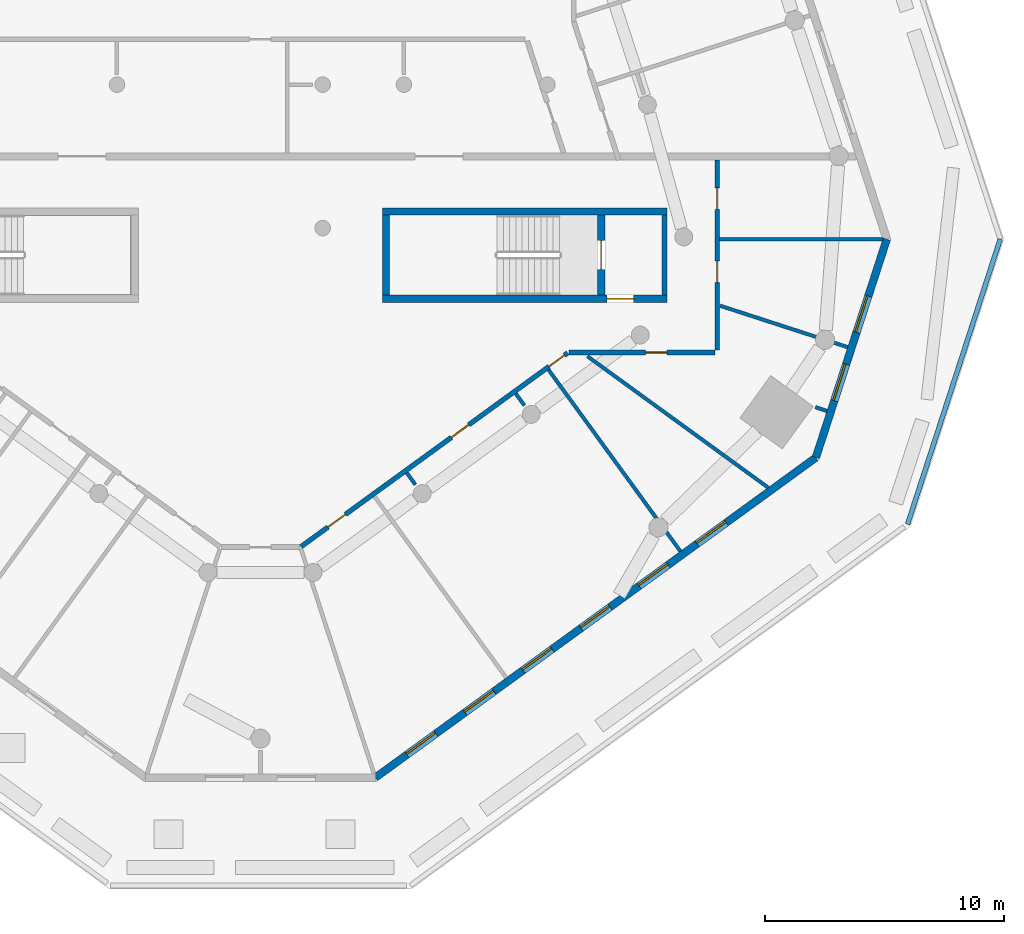
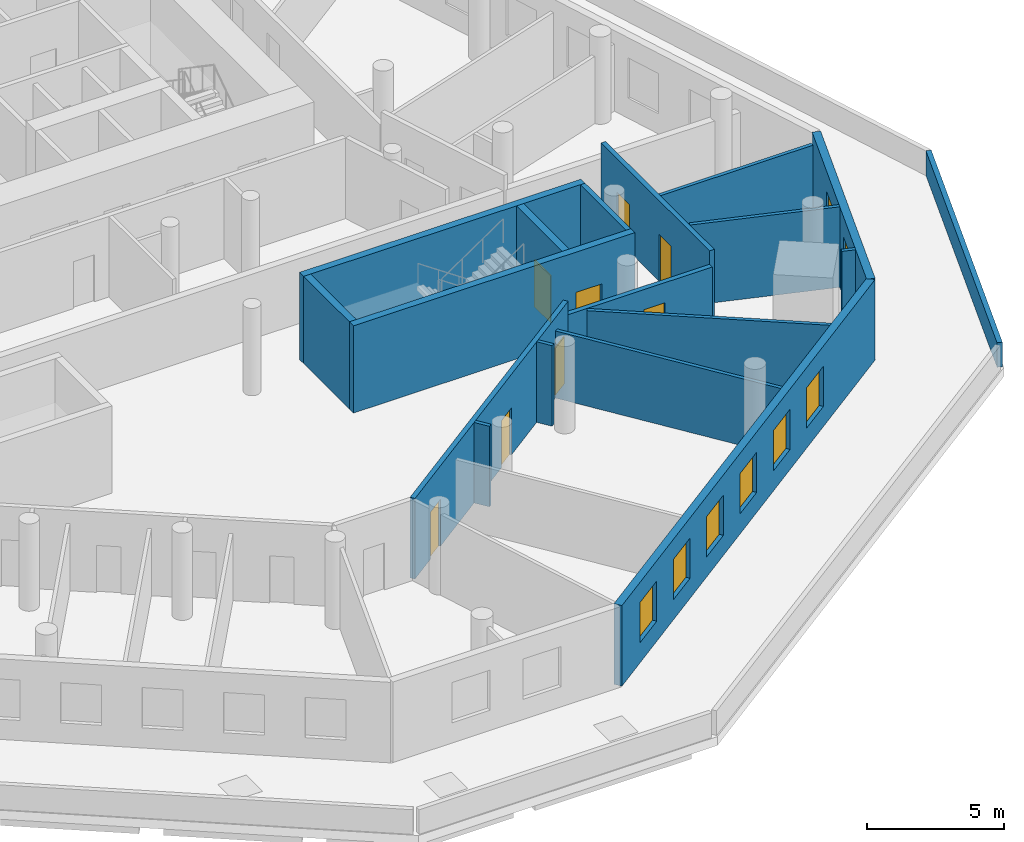
# One storey, part 4 of 10: 18 walls, 8 doors, 8 windows, 16 openings.
"""IFC4 building model written with IfcOpenShell, lengths in metres."""

from ifc_helpers import new_model, si_unit, direction, frame, frame_2d, origin, place, context, subcontext, project, spatial, rectangle, extrude, material, layer, layer_set, type_object, element, fill, save


model = new_model("IFC4")

# Units and contexts
model_context = context("Model", 3, precision=1e-05, world=origin(), true_north=direction((0.0, 1.0)))
body_context = subcontext(model_context, "Body", "Model", "MODEL_VIEW")
ifc_project = project(units=[si_unit("LENGTHUNIT", "METRE"), si_unit("AREAUNIT", "SQUARE_METRE"), si_unit("VOLUMEUNIT", "CUBIC_METRE"), si_unit("PLANEANGLEUNIT", "RADIAN"), si_unit("MASSUNIT", "GRAM", prefix="KILO")], contexts=[model_context])

# Site, building, storey
site_placement = place(None, origin())
site = spatial("IfcSite", under=ifc_project, at=site_placement, CompositionType="ELEMENT")
building_placement = place(site_placement, origin())
building = spatial("IfcBuilding", under=site, at=building_placement, Name="White Candle Pilgrim Tower", CompositionType="ELEMENT")
storey_placement = place(building_placement, frame((0.0, 0.0, 39.0)))
storey = spatial("IfcBuildingStorey", under=building, at=storey_placement, Name="L06", CompositionType="ELEMENT", Elevation=39.0)

# Wall
ifc_material_1 = material(Name="Concrete C70/85", Category="concrete")
ifc_layer_1 = layer(ifc_material_1, 0.199951171875)
ifc_layer_set_1 = layer_set([ifc_layer_1], Name="Core wall 200 mm Concrete C70/85")
wall_type_1 = type_object("IfcWallType", Name="Core wall 200 mm Concrete C70/85", PredefinedType="SHEAR", material=ifc_layer_set_1)
wall_1_placement = place(storey_placement, frame((86.89990234375, 58.199951171875, 0.0), z_axis=(0.0, 0.0, 1.0), x_axis=(0.0, 1.0, 0.0)))
element("IfcWall", 1, at=wall_1_placement, inside=storey, type_object=wall_type_1, Name="WL-L06-C08", PredefinedType="SHEAR", context=body_context, shape_type="SweptSolid", body=[
    extrude(rectangle(XDim=3.35009765625, YDim=0.199951171875, at=frame_2d((1.675048828125, 0.0))), origin(), (0.0, 0.0, 1.0), 3.89990234375),
])

# Wall, openings, doors
ifc_material_2 = material(Name="Gypsum board on steel studs", Category="steel")
ifc_layer_2 = layer(ifc_material_2, 0.199951171875)
ifc_layer_set_2 = layer_set([ifc_layer_2], Name="Corridor wall 200 mm EI 45")
wall_type_2 = type_object("IfcWallType", Name="Corridor wall 200 mm EI 45", PredefinedType="PARTITIONING", material=ifc_layer_set_2)
wall_2_placement = place(storey_placement, frame((89.10009765625, 63.85009765625, 0.0), z_axis=(0.0, 0.0, 1.0), x_axis=(0.0, -1.0, 0.0)))
wall_2 = element("IfcWall", 2, at=wall_2_placement, inside=storey, type_object=wall_type_2, Name="WL-L06-P006", PredefinedType="PARTITIONING", context=body_context, shape_type="SweptSolid", body=[
    extrude(rectangle(XDim=7.9501953125, YDim=0.199951171875, at=frame_2d((3.97509765625, 0.0))), origin(), (0.0, 0.0, 1.0), 3.60009765625),
])
opening_1_placement = place(wall_2_placement, frame((4.2333984375, 0.0, 0.0)))
opening_1 = element("IfcOpeningElement", 3, at=opening_1_placement, cuts=wall_2, Name="Opening T01-113", PredefinedType="OPENING", context=body_context, shape_type="SweptSolid", body=[
    extrude(rectangle(XDim=0.89990234375, YDim=2.10009765625, at=frame_2d((0.449951171875, 1.050048828125))), frame((0.0, 0.10986328125, 0.0), z_axis=(0.0, -1.0, 0.0), x_axis=(1.0, 0.0, 0.0)), (0.0, 0.0, 1.0), 0.219970703125),
])
opening_2_placement = place(wall_2_placement, frame((1.16796875, 0.0, 0.0)))
opening_2 = element("IfcOpeningElement", 4, at=opening_2_placement, cuts=wall_2, Name="Opening T01-127", PredefinedType="OPENING", context=body_context, shape_type="SweptSolid", body=[
    extrude(rectangle(XDim=0.89990234375, YDim=2.10009765625, at=frame_2d((0.449951171875, 1.050048828125))), frame((0.0, 0.10986328125, 0.0), z_axis=(0.0, -1.0, 0.0), x_axis=(1.0, 0.0, 0.0)), (0.0, 0.0, 1.0), 0.219970703125),
])
ifc_material_3 = material(Name="Steel door leaf", Category="steel")
door_type_1 = type_object("IfcDoorType", Name="Fire door 900 x 2100 EI 30", OperationType="NOTDEFINED", PredefinedType="DOOR", material=ifc_material_3)
door_1_placement = place(opening_1_placement, origin())
door_1 = element("IfcDoor", 5, at=door_1_placement, inside=storey, type_object=door_type_1, Name="Door T01-113", OperationType="SINGLE_SWING_LEFT", OverallHeight=2.10009765625, OverallWidth=0.89990234375, PredefinedType="DOOR", context=body_context, shape_type="SweptSolid", body=[
    extrude(rectangle(XDim=0.89990234375, YDim=2.10009765625, at=frame_2d((0.449951171875, 1.050048828125))), frame((0.0, 0.02490234375, 0.0), z_axis=(0.0, -1.0, 0.0), x_axis=(1.0, 0.0, 0.0)), (0.0, 0.0, 1.0), 0.050048828125),
])
fill(opening_1, door_1)
door_2_placement = place(opening_2_placement, origin())
door_2 = element("IfcDoor", 6, at=door_2_placement, inside=storey, type_object=door_type_1, Name="Door T01-127", OperationType="SINGLE_SWING_LEFT", OverallHeight=2.10009765625, OverallWidth=0.89990234375, PredefinedType="DOOR", context=body_context, shape_type="SweptSolid", body=[
    extrude(rectangle(XDim=0.89990234375, YDim=2.10009765625, at=frame_2d((0.449951171875, 1.050048828125))), frame((0.0, 0.02490234375, 0.0), z_axis=(0.0, -1.0, 0.0), x_axis=(1.0, 0.0, 0.0)), (0.0, 0.0, 1.0), 0.050048828125),
])
fill(opening_2, door_2)

# Wall, opening, door
wall_3_placement = place(storey_placement, frame((89.0, 55.800048828125, 0.0), z_axis=(0.0, 0.0, 1.0), x_axis=(-1.0, 0.0, 0.0)))
wall_3 = element("IfcWall", 7, at=wall_3_placement, inside=storey, type_object=wall_type_2, Name="WL-L06-P007", PredefinedType="PARTITIONING", context=body_context, shape_type="SweptSolid", body=[
    extrude(rectangle(XDim=6.095458984375, YDim=0.199951171875, at=frame_2d((3.0478515625, 0.0))), origin(), (0.0, 0.0, 1.0), 3.0),
])
opening_3_placement = place(wall_3_placement, frame((1.99853515625, 0.0, 0.0)))
opening_3 = element("IfcOpeningElement", 8, at=opening_3_placement, cuts=wall_3, Name="Opening T01-112", PredefinedType="OPENING", context=body_context, shape_type="SweptSolid", body=[
    extrude(rectangle(XDim=0.89990234375, YDim=2.10009765625, at=frame_2d((0.449951171875, 1.050048828125))), frame((0.0, 0.10986328125, 0.0), z_axis=(0.0, -1.0, 0.0), x_axis=(1.0, 0.0, 0.0)), (0.0, 0.0, 1.0), 0.219970703125),
])
door_3_placement = place(opening_3_placement, origin())
door_3 = element("IfcDoor", 9, at=door_3_placement, inside=storey, type_object=door_type_1, Name="Door T01-112", OperationType="SINGLE_SWING_RIGHT", OverallHeight=2.10009765625, OverallWidth=0.89990234375, PredefinedType="DOOR", context=body_context, shape_type="SweptSolid", body=[
    extrude(rectangle(XDim=0.89990234375, YDim=2.10009765625, at=frame_2d((0.449951171875, 1.050048828125))), frame((0.0, 0.02490234375, 0.0), z_axis=(0.0, -1.0, 0.0), x_axis=(1.0, 0.0, 0.0)), (0.0, 0.0, 1.0), 0.050048828125),
])
fill(opening_3, door_3)

# Wall, openings, doors
wall_4_placement = place(storey_placement, frame((82.845947265625, 55.781005859375, 0.0), z_axis=(0.0, 0.0, 1.0), x_axis=(-0.80901253571, -0.587791389069, 0.0)))
wall_4 = element("IfcWall", 10, at=wall_4_placement, inside=storey, type_object=wall_type_2, Name="WL-L06-P008", PredefinedType="PARTITIONING", context=body_context, shape_type="SweptSolid", body=[
    extrude(rectangle(XDim=13.78173828125, YDim=0.199951171875, at=frame_2d((6.890869140625, 0.0))), origin(), (0.0, 0.0, 1.0), 3.60009765625),
])
opening_4_placement = place(wall_4_placement, frame((11.48779296875, 0.0, 0.0)))
opening_4 = element("IfcOpeningElement", 11, at=opening_4_placement, cuts=wall_4, Name="Opening T01-109", PredefinedType="OPENING", context=body_context, shape_type="SweptSolid", body=[
    extrude(rectangle(XDim=0.89990234375, YDim=2.10009765625, at=frame_2d((0.449951171875, 1.050048828125))), frame((0.0, 0.10986328125, 0.0), z_axis=(0.0, -1.0, 0.0), x_axis=(1.0, 0.0, 0.0)), (0.0, 0.0, 1.0), 0.219970703125),
])
opening_5_placement = place(wall_4_placement, frame((5.111328125, 0.0, 0.0)))
opening_5 = element("IfcOpeningElement", 12, at=opening_5_placement, cuts=wall_4, Name="Opening T01-110", PredefinedType="OPENING", context=body_context, shape_type="SweptSolid", body=[
    extrude(rectangle(XDim=0.89990234375, YDim=2.10009765625, at=frame_2d((0.449951171875, 1.050048828125))), frame((0.0, 0.10986328125, 0.0), z_axis=(0.0, -1.0, 0.0), x_axis=(1.0, 0.0, 0.0)), (0.0, 0.0, 1.0), 0.219970703125),
])
opening_6_placement = place(wall_4_placement, frame((0.16455078125, 0.0, 0.0)))
opening_6 = element("IfcOpeningElement", 13, at=opening_6_placement, cuts=wall_4, Name="Opening T01-111", PredefinedType="OPENING", context=body_context, shape_type="SweptSolid", body=[
    extrude(rectangle(XDim=0.800048828125, YDim=2.10009765625, at=frame_2d((0.39990234375, 1.050048828125))), frame((0.0, 0.10986328125, 0.0), z_axis=(0.0, -1.0, 0.0), x_axis=(1.0, 0.0, 0.0)), (0.0, 0.0, 1.0), 0.219970703125),
])
door_type_2 = type_object("IfcDoorType", Name="Fire door 800 x 2100 EI 30", OperationType="NOTDEFINED", PredefinedType="DOOR", material=ifc_material_3)
door_4_placement = place(opening_6_placement, origin())
door_4 = element("IfcDoor", 14, at=door_4_placement, inside=storey, type_object=door_type_2, Name="Door T01-111", OperationType="SINGLE_SWING_LEFT", OverallHeight=2.10009765625, OverallWidth=0.800048828125, PredefinedType="DOOR", context=body_context, shape_type="SweptSolid", body=[
    extrude(rectangle(XDim=0.800048828125, YDim=2.10009765625, at=frame_2d((0.39990234375, 1.050048828125))), frame((0.0, 0.02490234375, 0.0), z_axis=(0.0, -1.0, 0.0), x_axis=(1.0, 0.0, 0.0)), (0.0, 0.0, 1.0), 0.050048828125),
])
fill(opening_6, door_4)
door_5_placement = place(opening_4_placement, origin())
door_5 = element("IfcDoor", 15, at=door_5_placement, inside=storey, type_object=door_type_1, Name="Door T01-109", OperationType="SINGLE_SWING_LEFT", OverallHeight=2.10009765625, OverallWidth=0.89990234375, PredefinedType="DOOR", context=body_context, shape_type="SweptSolid", body=[
    extrude(rectangle(XDim=0.89990234375, YDim=2.10009765625, at=frame_2d((0.449951171875, 1.050048828125))), frame((0.0, 0.02490234375, 0.0), z_axis=(0.0, -1.0, 0.0), x_axis=(1.0, 0.0, 0.0)), (0.0, 0.0, 1.0), 0.050048828125),
])
fill(opening_4, door_5)
door_6_placement = place(opening_5_placement, origin())
door_6 = element("IfcDoor", 16, at=door_6_placement, inside=storey, type_object=door_type_1, Name="Door T01-110", OperationType="SINGLE_SWING_RIGHT", OverallHeight=2.10009765625, OverallWidth=0.89990234375, PredefinedType="DOOR", context=body_context, shape_type="SweptSolid", body=[
    extrude(rectangle(XDim=0.89990234375, YDim=2.10009765625, at=frame_2d((0.449951171875, 1.050048828125))), frame((0.0, 0.02490234375, 0.0), z_axis=(0.0, -1.0, 0.0), x_axis=(1.0, 0.0, 0.0)), (0.0, 0.0, 1.0), 0.050048828125),
])
fill(opening_5, door_6)

# Wall, openings, windows
ifc_material_4 = material(Name="Precast concrete C40/50", Category="concrete")
ifc_layer_3 = layer(ifc_material_4, 0.320068359375)
ifc_layer_set_3 = layer_set([ifc_layer_3], Name="Facade wall EW1 precast concrete C40/50 pier wall with timber-lined reveals")
wall_type_3 = type_object("IfcWallType", Name="Facade wall EW1 precast concrete C40/50 pier wall with timber-lined reveals", PredefinedType="SOLIDWALL", material=ifc_layer_set_3)
wall_5_placement = place(storey_placement, frame((74.802001953125, 38.02099609375, 0.0), z_axis=(0.0, 0.0, 1.0), x_axis=(0.809014648547, 0.587788481035, 0.0)))
wall_5 = element("IfcWall", 17, at=wall_5_placement, inside=storey, type_object=wall_type_3, Name="Facade wall L06 SE", PredefinedType="SOLIDWALL", context=body_context, shape_type="SweptSolid", body=[
    extrude(rectangle(XDim=22.770263671875, YDim=0.320068359375, at=frame_2d((11.38525390625, 0.0))), origin(), (0.0, 0.0, 1.0), 3.60009765625),
])
opening_7_placement = place(wall_5_placement, frame((1.635009765625, 0.0, 0.89990234375)))
opening_7 = element("IfcOpeningElement", 18, at=opening_7_placement, cuts=wall_5, Name="Opening W1", PredefinedType="OPENING", context=body_context, shape_type="SweptSolid", body=[
    extrude(rectangle(XDim=1.5, YDim=1.800048828125, at=frame_2d((0.75, 0.89990234375))), frame((0.0, 0.169921875, 0.0), z_axis=(0.0, -1.0, 0.0), x_axis=(1.0, 0.0, 0.0)), (0.0, 0.0, 1.0), 0.340087890625),
])
opening_8_placement = place(wall_5_placement, frame((4.635009765625, 0.0, 0.89990234375)))
opening_8 = element("IfcOpeningElement", 19, at=opening_8_placement, cuts=wall_5, Name="Opening W1", PredefinedType="OPENING", context=body_context, shape_type="SweptSolid", body=[
    extrude(rectangle(XDim=1.5, YDim=1.800048828125, at=frame_2d((0.75, 0.89990234375))), frame((0.0, 0.169921875, 0.0), z_axis=(0.0, -1.0, 0.0), x_axis=(1.0, 0.0, 0.0)), (0.0, 0.0, 1.0), 0.340087890625),
])
opening_9_placement = place(wall_5_placement, frame((7.635009765625, 0.0, 0.89990234375)))
opening_9 = element("IfcOpeningElement", 20, at=opening_9_placement, cuts=wall_5, Name="Opening W1", PredefinedType="OPENING", context=body_context, shape_type="SweptSolid", body=[
    extrude(rectangle(XDim=1.5, YDim=1.800048828125, at=frame_2d((0.75, 0.89990234375))), frame((0.0, 0.169921875, 0.0), z_axis=(0.0, -1.0, 0.0), x_axis=(1.0, 0.0, 0.0)), (0.0, 0.0, 1.0), 0.340087890625),
])
opening_10_placement = place(wall_5_placement, frame((10.635009765625, 0.0, 0.89990234375)))
opening_10 = element("IfcOpeningElement", 21, at=opening_10_placement, cuts=wall_5, Name="Opening W1", PredefinedType="OPENING", context=body_context, shape_type="SweptSolid", body=[
    extrude(rectangle(XDim=1.5, YDim=1.800048828125, at=frame_2d((0.75, 0.89990234375))), frame((0.0, 0.169921875, 0.0), z_axis=(0.0, -1.0, 0.0), x_axis=(1.0, 0.0, 0.0)), (0.0, 0.0, 1.0), 0.340087890625),
])
opening_11_placement = place(wall_5_placement, frame((13.635009765625, 0.0, 0.89990234375)))
opening_11 = element("IfcOpeningElement", 22, at=opening_11_placement, cuts=wall_5, Name="Opening W1", PredefinedType="OPENING", context=body_context, shape_type="SweptSolid", body=[
    extrude(rectangle(XDim=1.5, YDim=1.800048828125, at=frame_2d((0.75, 0.89990234375))), frame((0.0, 0.169921875, 0.0), z_axis=(0.0, -1.0, 0.0), x_axis=(1.0, 0.0, 0.0)), (0.0, 0.0, 1.0), 0.340087890625),
])
opening_12_placement = place(wall_5_placement, frame((16.635009765625, 0.0, 0.89990234375)))
opening_12 = element("IfcOpeningElement", 23, at=opening_12_placement, cuts=wall_5, Name="Opening W1", PredefinedType="OPENING", context=body_context, shape_type="SweptSolid", body=[
    extrude(rectangle(XDim=1.5, YDim=1.800048828125, at=frame_2d((0.75, 0.89990234375))), frame((0.0, 0.169921875, 0.0), z_axis=(0.0, -1.0, 0.0), x_axis=(1.0, 0.0, 0.0)), (0.0, 0.0, 1.0), 0.340087890625),
])
ifc_material_5 = material(Name="Timber frame with triple glazing", Category="wood")
window_type_1 = type_object("IfcWindowType", Name="Window W1 1500x1800 timber frame triple glazing", PartitioningType="SINGLE_PANEL", PredefinedType="WINDOW", material=ifc_material_5)
window_1_placement = place(opening_7_placement, origin())
window_1 = element("IfcWindow", 24, at=window_1_placement, inside=storey, type_object=window_type_1, Name="Window W1 L06 SE 1", OverallHeight=1.800048828125, OverallWidth=1.5, PartitioningType="SINGLE_PANEL", PredefinedType="WINDOW", context=body_context, shape_type="SweptSolid", body=[
    extrude(rectangle(XDim=1.5, YDim=1.800048828125, at=frame_2d((0.75, 0.89990234375))), frame((0.0, 0.070068359375, 0.0), z_axis=(0.0, -1.0, 0.0), x_axis=(1.0, 0.0, 0.0)), (0.0, 0.0, 1.0), 0.06005859375),
])
fill(opening_7, window_1)
window_2_placement = place(opening_8_placement, origin())
window_2 = element("IfcWindow", 25, at=window_2_placement, inside=storey, type_object=window_type_1, Name="Window W1 L06 SE 2", OverallHeight=1.800048828125, OverallWidth=1.5, PartitioningType="SINGLE_PANEL", PredefinedType="WINDOW", context=body_context, shape_type="SweptSolid", body=[
    extrude(rectangle(XDim=1.5, YDim=1.800048828125, at=frame_2d((0.75, 0.89990234375))), frame((0.0, 0.070068359375, 0.0), z_axis=(0.0, -1.0, 0.0), x_axis=(1.0, 0.0, 0.0)), (0.0, 0.0, 1.0), 0.06005859375),
])
fill(opening_8, window_2)
window_3_placement = place(opening_9_placement, origin())
window_3 = element("IfcWindow", 26, at=window_3_placement, inside=storey, type_object=window_type_1, Name="Window W1 L06 SE 3", OverallHeight=1.800048828125, OverallWidth=1.5, PartitioningType="SINGLE_PANEL", PredefinedType="WINDOW", context=body_context, shape_type="SweptSolid", body=[
    extrude(rectangle(XDim=1.5, YDim=1.800048828125, at=frame_2d((0.75, 0.89990234375))), frame((0.0, 0.070068359375, 0.0), z_axis=(0.0, -1.0, 0.0), x_axis=(1.0, 0.0, 0.0)), (0.0, 0.0, 1.0), 0.06005859375),
])
fill(opening_9, window_3)
window_4_placement = place(opening_10_placement, origin())
window_4 = element("IfcWindow", 27, at=window_4_placement, inside=storey, type_object=window_type_1, Name="Window W1 L06 SE 4", OverallHeight=1.800048828125, OverallWidth=1.5, PartitioningType="SINGLE_PANEL", PredefinedType="WINDOW", context=body_context, shape_type="SweptSolid", body=[
    extrude(rectangle(XDim=1.5, YDim=1.800048828125, at=frame_2d((0.75, 0.89990234375))), frame((0.0, 0.070068359375, 0.0), z_axis=(0.0, -1.0, 0.0), x_axis=(1.0, 0.0, 0.0)), (0.0, 0.0, 1.0), 0.06005859375),
])
fill(opening_10, window_4)
window_5_placement = place(opening_11_placement, origin())
window_5 = element("IfcWindow", 28, at=window_5_placement, inside=storey, type_object=window_type_1, Name="Window W1 L06 SE 5", OverallHeight=1.800048828125, OverallWidth=1.5, PartitioningType="SINGLE_PANEL", PredefinedType="WINDOW", context=body_context, shape_type="SweptSolid", body=[
    extrude(rectangle(XDim=1.5, YDim=1.800048828125, at=frame_2d((0.75, 0.89990234375))), frame((0.0, 0.070068359375, 0.0), z_axis=(0.0, -1.0, 0.0), x_axis=(1.0, 0.0, 0.0)), (0.0, 0.0, 1.0), 0.06005859375),
])
fill(opening_11, window_5)
window_6_placement = place(opening_12_placement, origin())
window_6 = element("IfcWindow", 29, at=window_6_placement, inside=storey, type_object=window_type_1, Name="Window W1 L06 SE 6", OverallHeight=1.800048828125, OverallWidth=1.5, PartitioningType="SINGLE_PANEL", PredefinedType="WINDOW", context=body_context, shape_type="SweptSolid", body=[
    extrude(rectangle(XDim=1.5, YDim=1.800048828125, at=frame_2d((0.75, 0.89990234375))), frame((0.0, 0.070068359375, 0.0), z_axis=(0.0, -1.0, 0.0), x_axis=(1.0, 0.0, 0.0)), (0.0, 0.0, 1.0), 0.06005859375),
])
fill(opening_12, window_6)

wall_6_placement = place(storey_placement, frame((93.223388671875, 51.405029296875, 0.0), z_axis=(0.0, 0.0, 1.0), x_axis=(0.309034915099, 0.951050693312, 0.0)))
wall_6 = element("IfcWall", 30, at=wall_6_placement, inside=storey, type_object=wall_type_3, Name="Facade wall L06 E chamfer", PredefinedType="SOLIDWALL", context=body_context, shape_type="SweptSolid", body=[
    extrude(rectangle(XDim=9.604248046875, YDim=0.320068359375, at=frame_2d((4.80224609375, 0.0))), origin(), (0.0, 0.0, 1.0), 3.60009765625),
])
opening_13_placement = place(wall_6_placement, frame((2.502197265625, 0.0, 0.89990234375)))
opening_13 = element("IfcOpeningElement", 31, at=opening_13_placement, cuts=wall_6, Name="Opening W2", PredefinedType="OPENING", context=body_context, shape_type="SweptSolid", body=[
    extrude(rectangle(XDim=1.60009765625, YDim=1.800048828125, at=frame_2d((0.800048828125, 0.89990234375))), frame((0.0, 0.169921875, 0.0), z_axis=(0.0, -1.0, 0.0), x_axis=(1.0, 0.0, 0.0)), (0.0, 0.0, 1.0), 0.340087890625),
])
opening_14_placement = place(wall_6_placement, frame((5.502197265625, 0.0, 0.89990234375)))
opening_14 = element("IfcOpeningElement", 32, at=opening_14_placement, cuts=wall_6, Name="Opening W2", PredefinedType="OPENING", context=body_context, shape_type="SweptSolid", body=[
    extrude(rectangle(XDim=1.60009765625, YDim=1.800048828125, at=frame_2d((0.800048828125, 0.89990234375))), frame((0.0, 0.169921875, 0.0), z_axis=(0.0, -1.0, 0.0), x_axis=(1.0, 0.0, 0.0)), (0.0, 0.0, 1.0), 0.340087890625),
])
window_type_2 = type_object("IfcWindowType", Name="Window W2 1600x1800 timber frame triple glazing", PartitioningType="SINGLE_PANEL", PredefinedType="WINDOW", material=ifc_material_5)
window_7_placement = place(opening_13_placement, origin())
window_7 = element("IfcWindow", 33, at=window_7_placement, inside=storey, type_object=window_type_2, Name="Window W2 L06 E chamfer 1", OverallHeight=1.800048828125, OverallWidth=1.60009765625, PartitioningType="SINGLE_PANEL", PredefinedType="WINDOW", context=body_context, shape_type="SweptSolid", body=[
    extrude(rectangle(XDim=1.60009765625, YDim=1.800048828125, at=frame_2d((0.800048828125, 0.89990234375))), frame((0.0, 0.070068359375, 0.0), z_axis=(0.0, -1.0, 0.0), x_axis=(1.0, 0.0, 0.0)), (0.0, 0.0, 1.0), 0.06005859375),
])
fill(opening_13, window_7)
window_8_placement = place(opening_14_placement, origin())
window_8 = element("IfcWindow", 34, at=window_8_placement, inside=storey, type_object=window_type_2, Name="Window W2 L06 E chamfer 2", OverallHeight=1.800048828125, OverallWidth=1.60009765625, PartitioningType="SINGLE_PANEL", PredefinedType="WINDOW", context=body_context, shape_type="SweptSolid", body=[
    extrude(rectangle(XDim=1.60009765625, YDim=1.800048828125, at=frame_2d((0.800048828125, 0.89990234375))), frame((0.0, 0.070068359375, 0.0), z_axis=(0.0, -1.0, 0.0), x_axis=(1.0, 0.0, 0.0)), (0.0, 0.0, 1.0), 0.06005859375),
])
fill(opening_14, window_8)

# Walls
ifc_layer_4 = layer(ifc_material_2, 0.14990234375)
ifc_layer_set_4 = layer_set([ifc_layer_4], Name="Partition 150 mm EI 60")
wall_type_4 = type_object("IfcWallType", Name="Partition 150 mm EI 60", PredefinedType="PARTITIONING", material=ifc_layer_set_4)
wall_7_placement = place(storey_placement, frame((91.2265625, 50.152099609375, 0.0), z_axis=(0.0, 0.0, 1.0), x_axis=(-0.809020969399, 0.587779781103, 0.0)))
element("IfcWall", 35, at=wall_7_placement, inside=storey, type_object=wall_type_4, Name="WL-L06-P021", PredefinedType="PARTITIONING", context=body_context, shape_type="SweptSolid", body=[
    extrude(rectangle(XDim=9.335693359375, YDim=0.14990234375, at=frame_2d((4.66796875, 0.0))), origin(), (0.0, 0.0, 1.0), 3.0),
])
wall_8_placement = place(storey_placement, frame((96.023193359375, 60.539306640625, 0.0), z_axis=(0.0, 0.0, 1.0), x_axis=(-1.0, 0.0, 0.0)))
element("IfcWall", 36, at=wall_8_placement, inside=storey, type_object=wall_type_4, Name="WL-L06-P022", PredefinedType="PARTITIONING", context=body_context, shape_type="SweptSolid", body=[
    extrude(rectangle(XDim=6.8232421875, YDim=0.14990234375, at=frame_2d((3.41162109375, 0.0))), origin(), (0.0, 0.0, 1.0), 3.10009765625),
])
wall_9_placement = place(storey_placement, frame((87.559326171875, 47.487548828125, 0.0), z_axis=(0.0, 0.0, 1.0), x_axis=(-0.587783184234, 0.809018496903, 0.0)))
element("IfcWall", 37, at=wall_9_placement, inside=storey, type_object=wall_type_4, Name="WL-L06-P033", PredefinedType="PARTITIONING", context=body_context, shape_type="SweptSolid", body=[
    extrude(rectangle(XDim=9.380126953125, YDim=0.14990234375, at=frame_2d((4.68994140625, 0.0))), origin(), (0.0, 0.0, 1.0), 3.0),
])
wall_10_placement = place(storey_placement, frame((94.555419921875, 56.021484375, 0.0), z_axis=(0.0, 0.0, 1.0), x_axis=(-0.951063824507, 0.308994501108, 0.0)))
element("IfcWall", 38, at=wall_10_placement, inside=storey, type_object=wall_type_4, Name="WL-L06-P034", PredefinedType="PARTITIONING", context=body_context, shape_type="SweptSolid", body=[
    extrude(rectangle(XDim=5.606689453125, YDim=0.14990234375, at=frame_2d((2.80322265625, 0.0))), origin(), (0.0, 0.0, 1.0), 3.60009765625),
])
wall_11_placement = place(storey_placement, frame((93.20166015625, 53.51416015625, 0.0), z_axis=(0.0, 0.0, 1.0), x_axis=(0.951037568405, -0.309075303903, 0.0)))
element("IfcWall", 39, at=wall_11_placement, inside=storey, type_object=wall_type_4, Name="WL-L06-P041", PredefinedType="PARTITIONING", context=body_context, shape_type="SweptSolid", body=[
    extrude(rectangle(XDim=0.5126953125, YDim=0.14990234375, at=frame_2d((0.25634765625, 0.0))), origin(), (0.0, 0.0, 1.0), 3.60009765625),
])
wall_12_placement = place(storey_placement, frame((76.479248046875, 50.2705078125, 0.0), z_axis=(0.0, 0.0, 1.0), x_axis=(-0.587818121443, 0.808993112519, 0.0)))
element("IfcWall", 40, at=wall_12_placement, inside=storey, type_object=wall_type_4, Name="WL-L06-P044", PredefinedType="PARTITIONING", context=body_context, shape_type="SweptSolid", body=[
    extrude(rectangle(XDim=0.615966796875, YDim=0.14990234375, at=frame_2d((0.30810546875, 0.0))), origin(), (0.0, 0.0, 1.0), 3.60009765625),
])
wall_13_placement = place(storey_placement, frame((81.039306640625, 53.58056640625, 0.0), z_axis=(0.0, 0.0, 1.0), x_axis=(-0.587866481252, 0.80895797185, 0.0)))
element("IfcWall", 41, at=wall_13_placement, inside=storey, type_object=wall_type_4, Name="WL-L06-P045", PredefinedType="PARTITIONING", context=body_context, shape_type="SweptSolid", body=[
    extrude(rectangle(XDim=0.618408203125, YDim=0.14990234375, at=frame_2d((0.30908203125, 0.0))), origin(), (0.0, 0.0, 1.0), 3.60009765625),
])
ifc_layer_5 = layer(ifc_material_4, 0.199951171875)
ifc_layer_set_5 = layer_set([ifc_layer_5], Name="Roof parapet EW5 precast concrete C40/50 200")
wall_type_5 = type_object("IfcWallType", Name="Roof parapet EW5 precast concrete C40/50 200", PredefinedType="SOLIDWALL", material=ifc_layer_set_5)
wall_14_placement = place(storey_placement, frame((100.933349609375, 60.5390625, 0.0), z_axis=(0.0, 0.0, 1.0), x_axis=(-0.309020010983, -0.951055536134, 0.0)))
element("IfcWall", 42, at=wall_14_placement, inside=storey, type_object=wall_type_5, Name="Roof parapet L05", PredefinedType="SOLIDWALL", context=body_context, shape_type="SweptSolid", body=[
    extrude(rectangle(XDim=12.534912109375, YDim=0.199951171875, at=frame_2d((6.267578125, 0.0))), origin(), (0.0, 0.0, 1.0), 1.10009765625),
])

# Wall, opening, door
ifc_layer_6 = layer(ifc_material_1, 0.300048828125)
ifc_layer_set_6 = layer_set([ifc_layer_6], Name="Stair shaft wall 300 mm Concrete C70/85")
wall_type_6 = type_object("IfcWallType", Name="Stair shaft wall 300 mm Concrete C70/85", PredefinedType="SHEAR", material=ifc_layer_set_6)
wall_15_placement = place(storey_placement, frame((75.10009765625, 58.050048828125, 0.0), z_axis=(0.0, 0.0, 1.0), x_axis=(1.0, 0.0, 0.0)))
wall_15 = element("IfcWall", 43, at=wall_15_placement, inside=storey, type_object=wall_type_6, Name="WL-L06-C02", PredefinedType="SHEAR", context=body_context, shape_type="SweptSolid", body=[
    extrude(rectangle(XDim=11.89990234375, YDim=0.300048828125, at=frame_2d((5.949951171875, 0.0))), origin(), (0.0, 0.0, 1.0), 3.89990234375),
])
opening_15_placement = place(wall_15_placement, frame((9.39990234375, 0.0, 0.0)))
opening_15 = element("IfcOpeningElement", 44, at=opening_15_placement, cuts=wall_15, Name="Opening T01-009", PredefinedType="OPENING", context=body_context, shape_type="SweptSolid", body=[
    extrude(rectangle(XDim=1.10009765625, YDim=2.10009765625, at=frame_2d((0.550048828125, 1.050048828125))), frame((0.0, 0.159912109375, 0.0), z_axis=(0.0, -1.0, 0.0), x_axis=(1.0, 0.0, 0.0)), (0.0, 0.0, 1.0), 0.320068359375),
])
door_type_3 = type_object("IfcDoorType", Name="Fire door 1100 x 2100 EI 60", OperationType="NOTDEFINED", PredefinedType="DOOR", material=ifc_material_3)
door_7_placement = place(opening_15_placement, origin())
door_7 = element("IfcDoor", 45, at=door_7_placement, inside=storey, type_object=door_type_3, Name="Door T01-009", OperationType="SINGLE_SWING_LEFT", OverallHeight=2.10009765625, OverallWidth=1.10009765625, PredefinedType="DOOR", context=body_context, shape_type="SweptSolid", body=[
    extrude(rectangle(XDim=1.10009765625, YDim=2.10009765625, at=frame_2d((0.550048828125, 1.050048828125))), frame((0.0, 0.02490234375, 0.0), z_axis=(0.0, -1.0, 0.0), x_axis=(1.0, 0.0, 0.0)), (0.0, 0.0, 1.0), 0.050048828125),
])
fill(opening_15, door_7)

# Wall
wall_16_placement = place(storey_placement, frame((75.25, 58.199951171875, 0.0), z_axis=(0.0, 0.0, 1.0), x_axis=(0.0, 1.0, 0.0)))
element("IfcWall", 46, at=wall_16_placement, inside=storey, type_object=wall_type_6, Name="WL-L06-C06", PredefinedType="SHEAR", context=body_context, shape_type="SweptSolid", body=[
    extrude(rectangle(XDim=3.35009765625, YDim=0.300048828125, at=frame_2d((1.675048828125, 0.0))), origin(), (0.0, 0.0, 1.0), 3.89990234375),
])

# Wall, opening, door
wall_17_placement = place(storey_placement, frame((84.25, 58.199951171875, 0.0), z_axis=(0.0, 0.0, 1.0), x_axis=(0.0, 1.0, 0.0)))
wall_17 = element("IfcWall", 47, at=wall_17_placement, inside=storey, type_object=wall_type_6, Name="WL-L06-C07", PredefinedType="SHEAR", context=body_context, shape_type="SweptSolid", body=[
    extrude(rectangle(XDim=3.35009765625, YDim=0.300048828125, at=frame_2d((1.675048828125, 0.0))), origin(), (0.0, 0.0, 1.0), 3.89990234375),
])
opening_16_placement = place(wall_17_placement, frame((1.074951171875, 0.0, 0.0)))
opening_16 = element("IfcOpeningElement", 48, at=opening_16_placement, cuts=wall_17, Name="Opening T01-010", PredefinedType="OPENING", context=body_context, shape_type="SweptSolid", body=[
    extrude(rectangle(XDim=1.199951171875, YDim=2.10009765625, at=frame_2d((0.60009765625, 1.050048828125))), frame((0.0, 0.159912109375, 0.0), z_axis=(0.0, -1.0, 0.0), x_axis=(1.0, 0.0, 0.0)), (0.0, 0.0, 1.0), 0.320068359375),
])
door_type_4 = type_object("IfcDoorType", Name="Fire door 1200 x 2100 EI 60", OperationType="NOTDEFINED", PredefinedType="DOOR", material=ifc_material_3)
door_8_placement = place(opening_16_placement, origin())
door_8 = element("IfcDoor", 49, at=door_8_placement, inside=storey, type_object=door_type_4, Name="Door T01-010", OperationType="SINGLE_SWING_RIGHT", OverallHeight=2.10009765625, OverallWidth=1.199951171875, PredefinedType="DOOR", context=body_context, shape_type="SweptSolid", body=[
    extrude(rectangle(XDim=1.199951171875, YDim=2.10009765625, at=frame_2d((0.60009765625, 1.050048828125))), frame((0.0, 0.02490234375, 0.0), z_axis=(0.0, -1.0, 0.0), x_axis=(1.0, 0.0, 0.0)), (0.0, 0.0, 1.0), 0.050048828125),
])
fill(opening_16, door_8)

# Wall
wall_18_placement = place(storey_placement, frame((75.10009765625, 61.699951171875, 0.0), z_axis=(0.0, 0.0, 1.0), x_axis=(1.0, 0.0, 0.0)))
element("IfcWall", 50, at=wall_18_placement, inside=storey, type_object=wall_type_6, Name="WL-L06-C10", PredefinedType="SHEAR", context=body_context, shape_type="SweptSolid", body=[
    extrude(rectangle(XDim=11.89990234375, YDim=0.300048828125, at=frame_2d((5.949951171875, 0.0))), origin(), (0.0, 0.0, 1.0), 3.89990234375),
])

save(model, "model.ifc")
